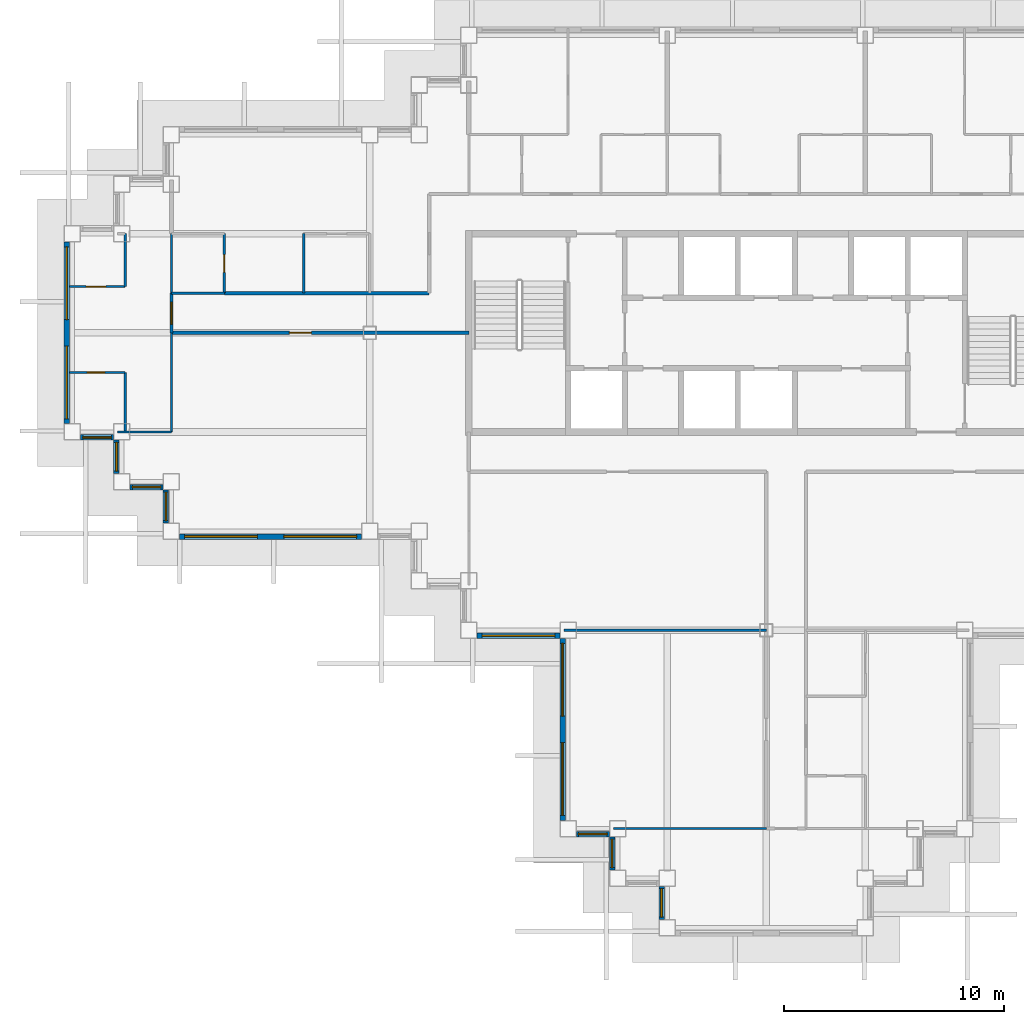
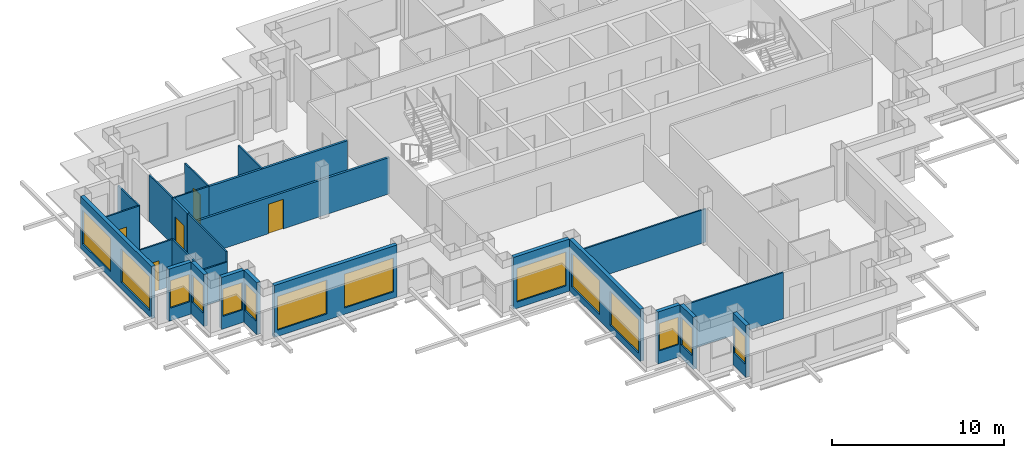
# One storey, part 3 of 14: 26 walls, 14 windows, 5 doors, 19 openings.
"""IFC4 building model written with IfcOpenShell, lengths in metres."""

from ifc_helpers import new_model, si_unit, direction, frame, frame_2d, origin, place, context, subcontext, project, spatial, rectangle, extrude, material, layer, layer_set, type_object, element, fill, save


model = new_model("IFC4")

# Units and contexts
model_context = context("Model", 3, precision=1e-05, world=origin(), true_north=direction((0.0, 1.0)))
body_context = subcontext(model_context, "Body", "Model", "MODEL_VIEW")
ifc_project = project(units=[si_unit("LENGTHUNIT", "METRE"), si_unit("AREAUNIT", "SQUARE_METRE"), si_unit("VOLUMEUNIT", "CUBIC_METRE"), si_unit("PLANEANGLEUNIT", "RADIAN"), si_unit("MASSUNIT", "GRAM", prefix="KILO")], contexts=[model_context])

# Site, building, storey
site_placement = place(None, origin())
site = spatial("IfcSite", under=ifc_project, at=site_placement, CompositionType="ELEMENT")
building_placement = place(site_placement, origin())
building = spatial("IfcBuilding", under=site, at=building_placement, Name="Caravel Reach Hotel and Residences", CompositionType="ELEMENT")
storey_placement = place(building_placement, frame((0.0, 0.0, 183.89990234375)))
storey = spatial("IfcBuildingStorey", under=building, at=storey_placement, Name="L46", CompositionType="ELEMENT", Elevation=183.89990234375)

# Wall, opening, door
ifc_material_1 = material(Name="Gypsum board on steel stud", Category="steel")
ifc_layer_1 = layer(ifc_material_1, 0.10009765625)
ifc_layer_set_1 = layer_set([ifc_layer_1], Name="Bathroom pod wall 100 mm")
wall_type_1 = type_object("IfcWallType", Name="Bathroom pod wall 100 mm", PredefinedType="PARTITIONING", material=ifc_layer_set_1)
wall_1_placement = place(storey_placement, frame((-0.125, 25.199951171875, 0.0), z_axis=(0.0, 0.0, 1.0), x_axis=(1.0, 0.0, 0.0)))
wall_1 = element("IfcWall", 1, at=wall_1_placement, inside=storey, type_object=wall_type_1, Name="L46 wall w074", PredefinedType="PARTITIONING", context=body_context, shape_type="SweptSolid", body=[
    extrude(rectangle(XDim=2.52490234375, YDim=0.10009765625, at=frame_2d((1.262451171875, 0.0))), origin(), (0.0, 0.0, 1.0), 3.300048828125),
])
opening_1_placement = place(wall_1_placement, frame((0.800048828125, 0.0, 0.0)))
opening_1 = element("IfcOpeningElement", 2, at=opening_1_placement, cuts=wall_1, Name="Opening D46-042", PredefinedType="OPENING", context=body_context, shape_type="SweptSolid", body=[
    extrude(rectangle(XDim=0.800048828125, YDim=2.10009765625, at=frame_2d((0.39990234375, 1.050048828125))), frame((0.0, 0.06005859375, 0.0), z_axis=(0.0, -1.0, 0.0), x_axis=(1.0, 0.0, 0.0)), (0.0, 0.0, 1.0), 0.1201171875),
])
ifc_material_2 = material(Name="Timber and steel door leaf", Category="steel")
door_type_1 = type_object("IfcDoorType", Name="Bathroom door 800 x 2100", OperationType="SINGLE_SWING_LEFT", PredefinedType="DOOR", material=ifc_material_2)
door_1_placement = place(opening_1_placement, origin())
door_1 = element("IfcDoor", 3, at=door_1_placement, inside=storey, type_object=door_type_1, Name="door D46-042", OperationType="SINGLE_SWING_RIGHT", OverallHeight=2.10009765625, OverallWidth=0.800048828125, PredefinedType="DOOR", context=body_context, shape_type="SweptSolid", body=[
    extrude(rectangle(XDim=0.800048828125, YDim=2.10009765625, at=frame_2d((0.39990234375, 1.050048828125))), frame((0.0, 0.02490234375, 0.0), z_axis=(0.0, -1.0, 0.0), x_axis=(1.0, 0.0, 0.0)), (0.0, 0.0, 1.0), 0.050048828125),
])
fill(opening_1, door_1)

# Walls
wall_2_placement = place(storey_placement, frame((4.5, 28.800048828125, 0.0), z_axis=(0.0, 0.0, 1.0), x_axis=(1.0, 0.0, 0.0)))
element("IfcWall", 4, at=wall_2_placement, inside=storey, type_object=wall_type_1, Name="L46 wall w075", PredefinedType="PARTITIONING", context=body_context, shape_type="SweptSolid", body=[
    extrude(rectangle(XDim=2.39990234375, YDim=0.10009765625, at=frame_2d((1.199951171875, 0.0))), origin(), (0.0, 0.0, 1.0), 3.300048828125),
])
for number, where, z_axis, x_axis, name in (
    (5, (2.39990234375, 22.5, 0.0), (0.0, 0.0, 1.0), (0.0, 1.0, 0.0), "L46 wall w086"),
    (6, (4.5, 28.800048828125, 0.0), (0.0, 0.0, 1.0), (0.0, 1.0, 0.0), "L46 wall w092"),
):
    element("IfcWall", number, at=place(storey_placement, frame(where, z_axis=z_axis, x_axis=x_axis)), inside=storey, type_object=wall_type_1, Name=name, PredefinedType="PARTITIONING", context=body_context, shape_type="SweptSolid", body=[
        extrude(rectangle(XDim=2.699951171875, YDim=0.10009765625, at=frame_2d((1.35009765625, 0.0))), origin(), (0.0, 0.0, 1.0), 3.300048828125),
    ])

# Wall, opening, door
wall_3_placement = place(storey_placement, frame((6.89990234375, 28.800048828125, 0.0), z_axis=(0.0, 0.0, 1.0), x_axis=(0.0, 1.0, 0.0)))
wall_3 = element("IfcWall", 7, at=wall_3_placement, inside=storey, type_object=wall_type_1, Name="L46 wall w097", PredefinedType="PARTITIONING", context=body_context, shape_type="SweptSolid", body=[
    extrude(rectangle(XDim=2.699951171875, YDim=0.10009765625, at=frame_2d((1.35009765625, 0.0))), origin(), (0.0, 0.0, 1.0), 3.300048828125),
])
opening_2_placement = place(wall_3_placement, frame((0.949951171875, 0.0, 0.0)))
opening_2 = element("IfcOpeningElement", 8, at=opening_2_placement, cuts=wall_3, Name="Opening D46-028", PredefinedType="OPENING", context=body_context, shape_type="SweptSolid", body=[
    extrude(rectangle(XDim=0.800048828125, YDim=2.10009765625, at=frame_2d((0.39990234375, 1.050048828125))), frame((0.0, 0.06005859375, 0.0), z_axis=(0.0, -1.0, 0.0), x_axis=(1.0, 0.0, 0.0)), (0.0, 0.0, 1.0), 0.1201171875),
])
door_2_placement = place(opening_2_placement, origin())
door_2 = element("IfcDoor", 9, at=door_2_placement, inside=storey, type_object=door_type_1, Name="door D46-028", OperationType="SINGLE_SWING_LEFT", OverallHeight=2.10009765625, OverallWidth=0.800048828125, PredefinedType="DOOR", context=body_context, shape_type="SweptSolid", body=[
    extrude(rectangle(XDim=0.800048828125, YDim=2.10009765625, at=frame_2d((0.39990234375, 1.050048828125))), frame((0.0, 0.02490234375, 0.0), z_axis=(0.0, -1.0, 0.0), x_axis=(1.0, 0.0, 0.0)), (0.0, 0.0, 1.0), 0.050048828125),
])
fill(opening_2, door_2)

ifc_material_3 = material(Name="Gypsum board on steel stud, fire-rated", Category="steel")
ifc_layer_2 = layer(ifc_material_3, 0.14990234375)
ifc_layer_set_2 = layer_set([ifc_layer_2], Name="Corridor wall 150 mm EI 60")
wall_type_2 = type_object("IfcWallType", Name="Corridor wall 150 mm EI 60", PredefinedType="PARTITIONING", material=ifc_layer_set_2)
wall_4_placement = place(storey_placement, frame((4.5, 27.0, 0.0), z_axis=(0.0, 0.0, 1.0), x_axis=(1.0, 0.0, 0.0)))
wall_4 = element("IfcWall", 10, at=wall_4_placement, inside=storey, type_object=wall_type_2, Name="L46 wall w008", PredefinedType="PARTITIONING", context=body_context, shape_type="SweptSolid", body=[
    extrude(rectangle(XDim=13.5, YDim=0.14990234375, at=frame_2d((6.75, 0.0))), origin(), (0.0, 0.0, 1.0), 2.580078125),
])
opening_3_placement = place(wall_4_placement, frame((5.35009765625, 0.0, 0.0)))
opening_3 = element("IfcOpeningElement", 11, at=opening_3_placement, cuts=wall_4, Name="Opening D46-030", PredefinedType="OPENING", context=body_context, shape_type="SweptSolid", body=[
    extrude(rectangle(XDim=1.0, YDim=2.10009765625, at=frame_2d((0.5, 1.050048828125))), frame((0.0, 0.0849609375, 0.0), z_axis=(0.0, -1.0, 0.0), x_axis=(1.0, 0.0, 0.0)), (0.0, 0.0, 1.0), 0.169921875),
])
ifc_material_4 = material(Name="Steel fire door leaf", Category="steel")
door_type_2 = type_object("IfcDoorType", Name="Fire door 1000 x 2100 EI 60", OperationType="SINGLE_SWING_LEFT", PredefinedType="DOOR", material=ifc_material_4)
door_3_placement = place(opening_3_placement, origin())
door_3 = element("IfcDoor", 12, at=door_3_placement, inside=storey, type_object=door_type_2, Name="door D46-030", OperationType="SINGLE_SWING_LEFT", OverallHeight=2.10009765625, OverallWidth=1.0, PredefinedType="DOOR", context=body_context, shape_type="SweptSolid", body=[
    extrude(rectangle(XDim=1.0, YDim=2.10009765625, at=frame_2d((0.5, 1.050048828125))), frame((0.0, 0.02490234375, 0.0), z_axis=(0.0, -1.0, 0.0), x_axis=(1.0, 0.0, 0.0)), (0.0, 0.0, 1.0), 0.050048828125),
])
fill(opening_3, door_3)

# Wall
wall_5_placement = place(storey_placement, frame((6.89990234375, 28.800048828125, 0.0), z_axis=(0.0, 0.0, 1.0), x_axis=(1.0, 0.0, 0.0)))
element("IfcWall", 13, at=wall_5_placement, inside=storey, type_object=wall_type_2, Name="L46 wall w010", PredefinedType="PARTITIONING", context=body_context, shape_type="SweptSolid", body=[
    extrude(rectangle(XDim=9.299072265625, YDim=0.14990234375, at=frame_2d((4.6494140625, 0.0))), origin(), (0.0, 0.0, 1.0), 3.300048828125),
])

# Wall, opening, door
wall_6_placement = place(storey_placement, frame((4.5, 27.0, 0.0), z_axis=(0.0, 0.0, 1.0), x_axis=(0.0, 1.0, 0.0)))
wall_6 = element("IfcWall", 14, at=wall_6_placement, inside=storey, type_object=wall_type_2, Name="L46 wall w028", PredefinedType="PARTITIONING", context=body_context, shape_type="SweptSolid", body=[
    extrude(rectangle(XDim=1.800048828125, YDim=0.14990234375, at=frame_2d((0.89990234375, 0.0))), origin(), (0.0, 0.0, 1.0), 3.300048828125),
])
opening_4_placement = place(wall_6_placement, frame((0.39990234375, 0.0, 0.0)))
opening_4 = element("IfcOpeningElement", 15, at=opening_4_placement, cuts=wall_6, Name="Opening D46-041", PredefinedType="OPENING", context=body_context, shape_type="SweptSolid", body=[
    extrude(rectangle(XDim=1.0, YDim=2.199951171875, at=frame_2d((0.5, 1.10009765625))), frame((0.0, 0.0849609375, 0.0), z_axis=(0.0, -1.0, 0.0), x_axis=(1.0, 0.0, 0.0)), (0.0, 0.0, 1.0), 0.169921875),
])
ifc_material_5 = material(Name="Steel fire door leaf", Category="steel")
door_type_3 = type_object("IfcDoorType", Name="Flat entrance door 1000 x 2200 EI 60", OperationType="SINGLE_SWING_LEFT", PredefinedType="DOOR", material=ifc_material_5)
door_4_placement = place(opening_4_placement, origin())
door_4 = element("IfcDoor", 16, at=door_4_placement, inside=storey, type_object=door_type_3, Name="door D46-041", OperationType="SINGLE_SWING_RIGHT", OverallHeight=2.199951171875, OverallWidth=1.0, PredefinedType="DOOR", context=body_context, shape_type="SweptSolid", body=[
    extrude(rectangle(XDim=1.0, YDim=2.199951171875, at=frame_2d((0.5, 1.10009765625))), frame((0.0, 0.02490234375, 0.0), z_axis=(0.0, -1.0, 0.0), x_axis=(1.0, 0.0, 0.0)), (0.0, 0.0, 1.0), 0.050048828125),
])
fill(opening_4, door_4)

# Wall, opening, window
ifc_material_6 = material(Name="Insulated rainscreen wall, aluminium cladding", Category="aluminium")
ifc_layer_3 = layer(ifc_material_6, 0.25)
ifc_layer_set_3 = layer_set([ifc_layer_3], Name="EW1 Tower rainscreen wall")
wall_type_3 = type_object("IfcWallType", Name="EW1 Tower rainscreen wall", PredefinedType="SOLIDWALL", material=ifc_layer_set_3)
wall_7_placement = place(storey_placement, frame((22.875, 4.25, 0.0), z_axis=(0.0, 0.0, 1.0), x_axis=(1.0, 0.0, 0.0)))
wall_7 = element("IfcWall", 17, at=wall_7_placement, inside=storey, type_object=wall_type_3, Name="External wall L46 S1.1", PredefinedType="SOLIDWALL", context=body_context, shape_type="SweptSolid", body=[
    extrude(rectangle(XDim=1.5, YDim=0.25, at=frame_2d((0.75, 0.0))), origin(), (0.0, 0.0, 1.0), 3.7001953125),
])
opening_5_placement = place(wall_7_placement, frame((0.10009765625, 0.0, 0.89990234375)))
opening_5 = element("IfcOpeningElement", 18, at=opening_5_placement, cuts=wall_7, Name="Opening WN17", PredefinedType="OPENING", context=body_context, shape_type="SweptSolid", body=[
    extrude(rectangle(XDim=1.300048828125, YDim=1.949951171875, at=frame_2d((0.64990234375, 0.97509765625))), frame((0.0, 0.135009765625, 0.0), z_axis=(0.0, -1.0, 0.0), x_axis=(1.0, 0.0, 0.0)), (0.0, 0.0, 1.0), 0.27001953125),
])
ifc_material_7 = material(Name="Dark low-e glazing in black aluminium frame", Category="aluminium")
window_type_1 = type_object("IfcWindowType", Name="Residence bedroom window 1300 x 1950", PartitioningType="SINGLE_PANEL", PredefinedType="WINDOW", material=ifc_material_7)
window_1_placement = place(opening_5_placement, origin())
window_1 = element("IfcWindow", 19, at=window_1_placement, inside=storey, type_object=window_type_1, Name="Window L46 S1.1.1", OverallHeight=1.949951171875, OverallWidth=1.300048828125, PartitioningType="SINGLE_PANEL", PredefinedType="WINDOW", context=body_context, shape_type="SweptSolid", body=[
    extrude(rectangle(XDim=1.300048828125, YDim=1.949951171875, at=frame_2d((0.64990234375, 0.97509765625))), frame((0.0, 0.030029296875, 0.0), z_axis=(0.0, -1.0, 0.0), x_axis=(1.0, 0.0, 0.0)), (0.0, 0.0, 1.0), 0.06005859375),
])
fill(opening_5, window_1)

wall_8_placement = place(storey_placement, frame((24.5, 4.125, 0.0), z_axis=(0.0, 0.0, 1.0), x_axis=(0.0, -1.0, 0.0)))
wall_8 = element("IfcWall", 20, at=wall_8_placement, inside=storey, type_object=wall_type_3, Name="External wall L46 W2.1", PredefinedType="SOLIDWALL", context=body_context, shape_type="SweptSolid", body=[
    extrude(rectangle(XDim=1.5, YDim=0.25, at=frame_2d((0.75, 0.0))), origin(), (0.0, 0.0, 1.0), 3.7001953125),
])
opening_6_placement = place(wall_8_placement, frame((0.10009765625, 0.0, 0.89990234375)))
opening_6 = element("IfcOpeningElement", 21, at=opening_6_placement, cuts=wall_8, Name="Opening WN17", PredefinedType="OPENING", context=body_context, shape_type="SweptSolid", body=[
    extrude(rectangle(XDim=1.300048828125, YDim=1.949951171875, at=frame_2d((0.64990234375, 0.97509765625))), frame((0.0, 0.135009765625, 0.0), z_axis=(0.0, -1.0, 0.0), x_axis=(1.0, 0.0, 0.0)), (0.0, 0.0, 1.0), 0.27001953125),
])
window_2_placement = place(opening_6_placement, origin())
window_2 = element("IfcWindow", 22, at=window_2_placement, inside=storey, type_object=window_type_1, Name="Window L46 W2.1.1", OverallHeight=1.949951171875, OverallWidth=1.300048828125, PartitioningType="SINGLE_PANEL", PredefinedType="WINDOW", context=body_context, shape_type="SweptSolid", body=[
    extrude(rectangle(XDim=1.300048828125, YDim=1.949951171875, at=frame_2d((0.64990234375, 0.97509765625))), frame((0.0, 0.030029296875, 0.0), z_axis=(0.0, -1.0, 0.0), x_axis=(1.0, 0.0, 0.0)), (0.0, 0.0, 1.0), 0.06005859375),
])
fill(opening_6, window_2)

wall_9_placement = place(storey_placement, frame((26.75, 1.875, 0.0), z_axis=(0.0, 0.0, 1.0), x_axis=(0.0, -1.0, 0.0)))
wall_9 = element("IfcWall", 23, at=wall_9_placement, inside=storey, type_object=wall_type_3, Name="External wall L46 W4.1", PredefinedType="SOLIDWALL", context=body_context, shape_type="SweptSolid", body=[
    extrude(rectangle(XDim=1.5, YDim=0.25, at=frame_2d((0.75, 0.0))), origin(), (0.0, 0.0, 1.0), 3.7001953125),
])
opening_7_placement = place(wall_9_placement, frame((0.10009765625, 0.0, 0.89990234375)))
opening_7 = element("IfcOpeningElement", 24, at=opening_7_placement, cuts=wall_9, Name="Opening WN17", PredefinedType="OPENING", context=body_context, shape_type="SweptSolid", body=[
    extrude(rectangle(XDim=1.300048828125, YDim=1.949951171875, at=frame_2d((0.64990234375, 0.97509765625))), frame((0.0, 0.135009765625, 0.0), z_axis=(0.0, -1.0, 0.0), x_axis=(1.0, 0.0, 0.0)), (0.0, 0.0, 1.0), 0.27001953125),
])
window_3_placement = place(opening_7_placement, origin())
window_3 = element("IfcWindow", 25, at=window_3_placement, inside=storey, type_object=window_type_1, Name="Window L46 W4.1.1", OverallHeight=1.949951171875, OverallWidth=1.300048828125, PartitioningType="SINGLE_PANEL", PredefinedType="WINDOW", context=body_context, shape_type="SweptSolid", body=[
    extrude(rectangle(XDim=1.300048828125, YDim=1.949951171875, at=frame_2d((0.64990234375, 0.97509765625))), frame((0.0, 0.030029296875, 0.0), z_axis=(0.0, -1.0, 0.0), x_axis=(1.0, 0.0, 0.0)), (0.0, 0.0, 1.0), 0.06005859375),
])
fill(opening_7, window_3)

# Wall, openings, windows
wall_10_placement = place(storey_placement, frame((-0.25, 31.125, 0.0), z_axis=(0.0, 0.0, 1.0), x_axis=(0.0, -1.0, 0.0)))
wall_10 = element("IfcWall", 26, at=wall_10_placement, inside=storey, type_object=wall_type_3, Name="External wall L46 W38.1", PredefinedType="SOLIDWALL", context=body_context, shape_type="SweptSolid", body=[
    extrude(rectangle(XDim=8.25, YDim=0.25, at=frame_2d((4.125, 0.0))), origin(), (0.0, 0.0, 1.0), 3.7001953125),
])
opening_8_placement = place(wall_10_placement, frame((0.22509765625, 0.0, 0.449951171875)))
opening_8 = element("IfcOpeningElement", 27, at=opening_8_placement, cuts=wall_10, Name="Opening WN18", PredefinedType="OPENING", context=body_context, shape_type="SweptSolid", body=[
    extrude(rectangle(XDim=3.300048828125, YDim=2.39990234375, at=frame_2d((1.64990234375, 1.199951171875))), frame((0.0, 0.135009765625, 0.0), z_axis=(0.0, -1.0, 0.0), x_axis=(1.0, 0.0, 0.0)), (0.0, 0.0, 1.0), 0.27001953125),
])
opening_9_placement = place(wall_10_placement, frame((4.72509765625, 0.0, 0.449951171875)))
opening_9 = element("IfcOpeningElement", 28, at=opening_9_placement, cuts=wall_10, Name="Opening WN18", PredefinedType="OPENING", context=body_context, shape_type="SweptSolid", body=[
    extrude(rectangle(XDim=3.300048828125, YDim=2.39990234375, at=frame_2d((1.64990234375, 1.199951171875))), frame((0.0, 0.135009765625, 0.0), z_axis=(0.0, -1.0, 0.0), x_axis=(1.0, 0.0, 0.0)), (0.0, 0.0, 1.0), 0.27001953125),
])
ifc_material_8 = material(Name="Dark low-e glazing in black aluminium frame", Category="aluminium")
window_type_2 = type_object("IfcWindowType", Name="Residence living window 3300 x 2400", PartitioningType="SINGLE_PANEL", PredefinedType="WINDOW", material=ifc_material_8)
window_4_placement = place(opening_8_placement, origin())
window_4 = element("IfcWindow", 29, at=window_4_placement, inside=storey, type_object=window_type_2, Name="Window L46 W38.1.1", OverallHeight=2.39990234375, OverallWidth=3.300048828125, PartitioningType="SINGLE_PANEL", PredefinedType="WINDOW", context=body_context, shape_type="SweptSolid", body=[
    extrude(rectangle(XDim=3.300048828125, YDim=2.39990234375, at=frame_2d((1.64990234375, 1.199951171875))), frame((0.0, 0.030029296875, 0.0), z_axis=(0.0, -1.0, 0.0), x_axis=(1.0, 0.0, 0.0)), (0.0, 0.0, 1.0), 0.06005859375),
])
fill(opening_8, window_4)
window_5_placement = place(opening_9_placement, origin())
window_5 = element("IfcWindow", 30, at=window_5_placement, inside=storey, type_object=window_type_2, Name="Window L46 W38.1.2", OverallHeight=2.39990234375, OverallWidth=3.300048828125, PartitioningType="SINGLE_PANEL", PredefinedType="WINDOW", context=body_context, shape_type="SweptSolid", body=[
    extrude(rectangle(XDim=3.300048828125, YDim=2.39990234375, at=frame_2d((1.64990234375, 1.199951171875))), frame((0.0, 0.030029296875, 0.0), z_axis=(0.0, -1.0, 0.0), x_axis=(1.0, 0.0, 0.0)), (0.0, 0.0, 1.0), 0.06005859375),
])
fill(opening_9, window_5)

# Wall, opening, window
wall_11_placement = place(storey_placement, frame((0.375, 22.25, 0.0), z_axis=(0.0, 0.0, 1.0), x_axis=(1.0, 0.0, 0.0)))
wall_11 = element("IfcWall", 31, at=wall_11_placement, inside=storey, type_object=wall_type_3, Name="External wall L46 S39.1", PredefinedType="SOLIDWALL", context=body_context, shape_type="SweptSolid", body=[
    extrude(rectangle(XDim=1.5, YDim=0.25, at=frame_2d((0.75, 0.0))), origin(), (0.0, 0.0, 1.0), 3.7001953125),
])
opening_10_placement = place(wall_11_placement, frame((0.10009765625, 0.0, 0.89990234375)))
opening_10 = element("IfcOpeningElement", 32, at=opening_10_placement, cuts=wall_11, Name="Opening WN17", PredefinedType="OPENING", context=body_context, shape_type="SweptSolid", body=[
    extrude(rectangle(XDim=1.300048828125, YDim=1.949951171875, at=frame_2d((0.64990234375, 0.97509765625))), frame((0.0, 0.135009765625, 0.0), z_axis=(0.0, -1.0, 0.0), x_axis=(1.0, 0.0, 0.0)), (0.0, 0.0, 1.0), 0.27001953125),
])
window_6_placement = place(opening_10_placement, origin())
window_6 = element("IfcWindow", 33, at=window_6_placement, inside=storey, type_object=window_type_1, Name="Window L46 S39.1.1", OverallHeight=1.949951171875, OverallWidth=1.300048828125, PartitioningType="SINGLE_PANEL", PredefinedType="WINDOW", context=body_context, shape_type="SweptSolid", body=[
    extrude(rectangle(XDim=1.300048828125, YDim=1.949951171875, at=frame_2d((0.64990234375, 0.97509765625))), frame((0.0, 0.030029296875, 0.0), z_axis=(0.0, -1.0, 0.0), x_axis=(1.0, 0.0, 0.0)), (0.0, 0.0, 1.0), 0.06005859375),
])
fill(opening_10, window_6)

wall_12_placement = place(storey_placement, frame((2.0, 22.125, 0.0), z_axis=(0.0, 0.0, 1.0), x_axis=(0.0, -1.0, 0.0)))
wall_12 = element("IfcWall", 34, at=wall_12_placement, inside=storey, type_object=wall_type_3, Name="External wall L46 W40.1", PredefinedType="SOLIDWALL", context=body_context, shape_type="SweptSolid", body=[
    extrude(rectangle(XDim=1.5, YDim=0.25, at=frame_2d((0.75, 0.0))), origin(), (0.0, 0.0, 1.0), 3.7001953125),
])
opening_11_placement = place(wall_12_placement, frame((0.10009765625, 0.0, 0.89990234375)))
opening_11 = element("IfcOpeningElement", 35, at=opening_11_placement, cuts=wall_12, Name="Opening WN17", PredefinedType="OPENING", context=body_context, shape_type="SweptSolid", body=[
    extrude(rectangle(XDim=1.300048828125, YDim=1.949951171875, at=frame_2d((0.64990234375, 0.97509765625))), frame((0.0, 0.135009765625, 0.0), z_axis=(0.0, -1.0, 0.0), x_axis=(1.0, 0.0, 0.0)), (0.0, 0.0, 1.0), 0.27001953125),
])
window_7_placement = place(opening_11_placement, origin())
window_7 = element("IfcWindow", 36, at=window_7_placement, inside=storey, type_object=window_type_1, Name="Window L46 W40.1.1", OverallHeight=1.949951171875, OverallWidth=1.300048828125, PartitioningType="SINGLE_PANEL", PredefinedType="WINDOW", context=body_context, shape_type="SweptSolid", body=[
    extrude(rectangle(XDim=1.300048828125, YDim=1.949951171875, at=frame_2d((0.64990234375, 0.97509765625))), frame((0.0, 0.030029296875, 0.0), z_axis=(0.0, -1.0, 0.0), x_axis=(1.0, 0.0, 0.0)), (0.0, 0.0, 1.0), 0.06005859375),
])
fill(opening_11, window_7)

wall_13_placement = place(storey_placement, frame((2.625, 20.0, 0.0), z_axis=(0.0, 0.0, 1.0), x_axis=(1.0, 0.0, 0.0)))
wall_13 = element("IfcWall", 37, at=wall_13_placement, inside=storey, type_object=wall_type_3, Name="External wall L46 S41.1", PredefinedType="SOLIDWALL", context=body_context, shape_type="SweptSolid", body=[
    extrude(rectangle(XDim=1.5, YDim=0.25, at=frame_2d((0.75, 0.0))), origin(), (0.0, 0.0, 1.0), 3.7001953125),
])
opening_12_placement = place(wall_13_placement, frame((0.10009765625, 0.0, 0.89990234375)))
opening_12 = element("IfcOpeningElement", 38, at=opening_12_placement, cuts=wall_13, Name="Opening WN17", PredefinedType="OPENING", context=body_context, shape_type="SweptSolid", body=[
    extrude(rectangle(XDim=1.300048828125, YDim=1.949951171875, at=frame_2d((0.64990234375, 0.97509765625))), frame((0.0, 0.135009765625, 0.0), z_axis=(0.0, -1.0, 0.0), x_axis=(1.0, 0.0, 0.0)), (0.0, 0.0, 1.0), 0.27001953125),
])
window_8_placement = place(opening_12_placement, origin())
window_8 = element("IfcWindow", 39, at=window_8_placement, inside=storey, type_object=window_type_1, Name="Window L46 S41.1.1", OverallHeight=1.949951171875, OverallWidth=1.300048828125, PartitioningType="SINGLE_PANEL", PredefinedType="WINDOW", context=body_context, shape_type="SweptSolid", body=[
    extrude(rectangle(XDim=1.300048828125, YDim=1.949951171875, at=frame_2d((0.64990234375, 0.97509765625))), frame((0.0, 0.030029296875, 0.0), z_axis=(0.0, -1.0, 0.0), x_axis=(1.0, 0.0, 0.0)), (0.0, 0.0, 1.0), 0.06005859375),
])
fill(opening_12, window_8)

wall_14_placement = place(storey_placement, frame((4.25, 19.875, 0.0), z_axis=(0.0, 0.0, 1.0), x_axis=(0.0, -1.0, 0.0)))
wall_14 = element("IfcWall", 40, at=wall_14_placement, inside=storey, type_object=wall_type_3, Name="External wall L46 W42.1", PredefinedType="SOLIDWALL", context=body_context, shape_type="SweptSolid", body=[
    extrude(rectangle(XDim=1.5, YDim=0.25, at=frame_2d((0.75, 0.0))), origin(), (0.0, 0.0, 1.0), 3.7001953125),
])
opening_13_placement = place(wall_14_placement, frame((0.10009765625, 0.0, 0.89990234375)))
opening_13 = element("IfcOpeningElement", 41, at=opening_13_placement, cuts=wall_14, Name="Opening WN17", PredefinedType="OPENING", context=body_context, shape_type="SweptSolid", body=[
    extrude(rectangle(XDim=1.300048828125, YDim=1.949951171875, at=frame_2d((0.64990234375, 0.97509765625))), frame((0.0, 0.135009765625, 0.0), z_axis=(0.0, -1.0, 0.0), x_axis=(1.0, 0.0, 0.0)), (0.0, 0.0, 1.0), 0.27001953125),
])
window_9_placement = place(opening_13_placement, origin())
window_9 = element("IfcWindow", 42, at=window_9_placement, inside=storey, type_object=window_type_1, Name="Window L46 W42.1.1", OverallHeight=1.949951171875, OverallWidth=1.300048828125, PartitioningType="SINGLE_PANEL", PredefinedType="WINDOW", context=body_context, shape_type="SweptSolid", body=[
    extrude(rectangle(XDim=1.300048828125, YDim=1.949951171875, at=frame_2d((0.64990234375, 0.97509765625))), frame((0.0, 0.030029296875, 0.0), z_axis=(0.0, -1.0, 0.0), x_axis=(1.0, 0.0, 0.0)), (0.0, 0.0, 1.0), 0.06005859375),
])
fill(opening_13, window_9)

# Wall, openings, windows
wall_15_placement = place(storey_placement, frame((4.875, 17.75, 0.0), z_axis=(0.0, 0.0, 1.0), x_axis=(1.0, 0.0, 0.0)))
wall_15 = element("IfcWall", 43, at=wall_15_placement, inside=storey, type_object=wall_type_3, Name="External wall L46 S43.1", PredefinedType="SOLIDWALL", context=body_context, shape_type="SweptSolid", body=[
    extrude(rectangle(XDim=8.25, YDim=0.25, at=frame_2d((4.125, 0.0))), origin(), (0.0, 0.0, 1.0), 3.7001953125),
])
opening_14_placement = place(wall_15_placement, frame((0.22509765625, 0.0, 0.449951171875)))
opening_14 = element("IfcOpeningElement", 44, at=opening_14_placement, cuts=wall_15, Name="Opening WN18", PredefinedType="OPENING", context=body_context, shape_type="SweptSolid", body=[
    extrude(rectangle(XDim=3.300048828125, YDim=2.39990234375, at=frame_2d((1.64990234375, 1.199951171875))), frame((0.0, 0.135009765625, 0.0), z_axis=(0.0, -1.0, 0.0), x_axis=(1.0, 0.0, 0.0)), (0.0, 0.0, 1.0), 0.27001953125),
])
opening_15_placement = place(wall_15_placement, frame((4.72509765625, 0.0, 0.449951171875)))
opening_15 = element("IfcOpeningElement", 45, at=opening_15_placement, cuts=wall_15, Name="Opening WN18", PredefinedType="OPENING", context=body_context, shape_type="SweptSolid", body=[
    extrude(rectangle(XDim=3.300048828125, YDim=2.39990234375, at=frame_2d((1.64990234375, 1.199951171875))), frame((0.0, 0.135009765625, 0.0), z_axis=(0.0, -1.0, 0.0), x_axis=(1.0, 0.0, 0.0)), (0.0, 0.0, 1.0), 0.27001953125),
])
window_10_placement = place(opening_14_placement, origin())
window_10 = element("IfcWindow", 46, at=window_10_placement, inside=storey, type_object=window_type_2, Name="Window L46 S43.1.1", OverallHeight=2.39990234375, OverallWidth=3.300048828125, PartitioningType="SINGLE_PANEL", PredefinedType="WINDOW", context=body_context, shape_type="SweptSolid", body=[
    extrude(rectangle(XDim=3.300048828125, YDim=2.39990234375, at=frame_2d((1.64990234375, 1.199951171875))), frame((0.0, 0.030029296875, 0.0), z_axis=(0.0, -1.0, 0.0), x_axis=(1.0, 0.0, 0.0)), (0.0, 0.0, 1.0), 0.06005859375),
])
fill(opening_14, window_10)
window_11_placement = place(opening_15_placement, origin())
window_11 = element("IfcWindow", 47, at=window_11_placement, inside=storey, type_object=window_type_2, Name="Window L46 S43.1.2", OverallHeight=2.39990234375, OverallWidth=3.300048828125, PartitioningType="SINGLE_PANEL", PredefinedType="WINDOW", context=body_context, shape_type="SweptSolid", body=[
    extrude(rectangle(XDim=3.300048828125, YDim=2.39990234375, at=frame_2d((1.64990234375, 1.199951171875))), frame((0.0, 0.030029296875, 0.0), z_axis=(0.0, -1.0, 0.0), x_axis=(1.0, 0.0, 0.0)), (0.0, 0.0, 1.0), 0.06005859375),
])
fill(opening_15, window_11)

# Wall, opening, window
wall_16_placement = place(storey_placement, frame((18.375, 13.25, 0.0), z_axis=(0.0, 0.0, 1.0), x_axis=(1.0, 0.0, 0.0)))
wall_16 = element("IfcWall", 48, at=wall_16_placement, inside=storey, type_object=wall_type_3, Name="External wall L46 S47.1", PredefinedType="SOLIDWALL", context=body_context, shape_type="SweptSolid", body=[
    extrude(rectangle(XDim=3.75, YDim=0.25, at=frame_2d((1.875, 0.0))), origin(), (0.0, 0.0, 1.0), 3.7001953125),
])
opening_16_placement = place(wall_16_placement, frame((0.22509765625, 0.0, 0.449951171875)))
opening_16 = element("IfcOpeningElement", 49, at=opening_16_placement, cuts=wall_16, Name="Opening WN18", PredefinedType="OPENING", context=body_context, shape_type="SweptSolid", body=[
    extrude(rectangle(XDim=3.300048828125, YDim=2.39990234375, at=frame_2d((1.64990234375, 1.199951171875))), frame((0.0, 0.135009765625, 0.0), z_axis=(0.0, -1.0, 0.0), x_axis=(1.0, 0.0, 0.0)), (0.0, 0.0, 1.0), 0.27001953125),
])
window_12_placement = place(opening_16_placement, origin())
window_12 = element("IfcWindow", 50, at=window_12_placement, inside=storey, type_object=window_type_2, Name="Window L46 S47.1.1", OverallHeight=2.39990234375, OverallWidth=3.300048828125, PartitioningType="SINGLE_PANEL", PredefinedType="WINDOW", context=body_context, shape_type="SweptSolid", body=[
    extrude(rectangle(XDim=3.300048828125, YDim=2.39990234375, at=frame_2d((1.64990234375, 1.199951171875))), frame((0.0, 0.030029296875, 0.0), z_axis=(0.0, -1.0, 0.0), x_axis=(1.0, 0.0, 0.0)), (0.0, 0.0, 1.0), 0.06005859375),
])
fill(opening_16, window_12)

# Wall, openings, windows
wall_17_placement = place(storey_placement, frame((22.25, 13.125, 0.0), z_axis=(0.0, 0.0, 1.0), x_axis=(0.0, -1.0, 0.0)))
wall_17 = element("IfcWall", 51, at=wall_17_placement, inside=storey, type_object=wall_type_3, Name="External wall L46 W48.1", PredefinedType="SOLIDWALL", context=body_context, shape_type="SweptSolid", body=[
    extrude(rectangle(XDim=8.25, YDim=0.25, at=frame_2d((4.125, 0.0))), origin(), (0.0, 0.0, 1.0), 3.7001953125),
])
opening_17_placement = place(wall_17_placement, frame((0.22509765625, 0.0, 0.449951171875)))
opening_17 = element("IfcOpeningElement", 52, at=opening_17_placement, cuts=wall_17, Name="Opening WN18", PredefinedType="OPENING", context=body_context, shape_type="SweptSolid", body=[
    extrude(rectangle(XDim=3.300048828125, YDim=2.39990234375, at=frame_2d((1.64990234375, 1.199951171875))), frame((0.0, 0.135009765625, 0.0), z_axis=(0.0, -1.0, 0.0), x_axis=(1.0, 0.0, 0.0)), (0.0, 0.0, 1.0), 0.27001953125),
])
opening_18_placement = place(wall_17_placement, frame((4.72509765625, 0.0, 0.449951171875)))
opening_18 = element("IfcOpeningElement", 53, at=opening_18_placement, cuts=wall_17, Name="Opening WN18", PredefinedType="OPENING", context=body_context, shape_type="SweptSolid", body=[
    extrude(rectangle(XDim=3.300048828125, YDim=2.39990234375, at=frame_2d((1.64990234375, 1.199951171875))), frame((0.0, 0.135009765625, 0.0), z_axis=(0.0, -1.0, 0.0), x_axis=(1.0, 0.0, 0.0)), (0.0, 0.0, 1.0), 0.27001953125),
])
window_13_placement = place(opening_17_placement, origin())
window_13 = element("IfcWindow", 54, at=window_13_placement, inside=storey, type_object=window_type_2, Name="Window L46 W48.1.1", OverallHeight=2.39990234375, OverallWidth=3.300048828125, PartitioningType="SINGLE_PANEL", PredefinedType="WINDOW", context=body_context, shape_type="SweptSolid", body=[
    extrude(rectangle(XDim=3.300048828125, YDim=2.39990234375, at=frame_2d((1.64990234375, 1.199951171875))), frame((0.0, 0.030029296875, 0.0), z_axis=(0.0, -1.0, 0.0), x_axis=(1.0, 0.0, 0.0)), (0.0, 0.0, 1.0), 0.06005859375),
])
fill(opening_17, window_13)
window_14_placement = place(opening_18_placement, origin())
window_14 = element("IfcWindow", 55, at=window_14_placement, inside=storey, type_object=window_type_2, Name="Window L46 W48.1.2", OverallHeight=2.39990234375, OverallWidth=3.300048828125, PartitioningType="SINGLE_PANEL", PredefinedType="WINDOW", context=body_context, shape_type="SweptSolid", body=[
    extrude(rectangle(XDim=3.300048828125, YDim=2.39990234375, at=frame_2d((1.64990234375, 1.199951171875))), frame((0.0, 0.030029296875, 0.0), z_axis=(0.0, -1.0, 0.0), x_axis=(1.0, 0.0, 0.0)), (0.0, 0.0, 1.0), 0.06005859375),
])
fill(opening_18, window_14)

# Walls
ifc_material_9 = material(Name="Gypsum board on steel stud", Category="steel")
ifc_layer_4 = layer(ifc_material_9, 0.10009765625)
ifc_layer_set_4 = layer_set([ifc_layer_4], Name="Partition 100 mm")
wall_type_4 = type_object("IfcWallType", Name="Partition 100 mm", PredefinedType="PARTITIONING", material=ifc_layer_set_4)
wall_18_placement = place(storey_placement, frame((22.31005859375, 13.5, 0.0), z_axis=(0.0, 0.0, 1.0), x_axis=(1.0, 0.0, 0.0)))
element("IfcWall", 56, at=wall_18_placement, inside=storey, type_object=wall_type_4, Name="L46 wall w035", PredefinedType="PARTITIONING", context=body_context, shape_type="SweptSolid", body=[
    extrude(rectangle(XDim=9.18994140625, YDim=0.10009765625, at=frame_2d((4.594970703125, 0.0))), origin(), (0.0, 0.0, 1.0), 2.380126953125),
])
wall_19_placement = place(storey_placement, frame((2.06005859375, 22.5, 0.0), z_axis=(0.0, 0.0, 1.0), x_axis=(1.0, 0.0, 0.0)))
element("IfcWall", 57, at=wall_19_placement, inside=storey, type_object=wall_type_4, Name="L46 wall w038", PredefinedType="PARTITIONING", context=body_context, shape_type="SweptSolid", body=[
    extrude(rectangle(XDim=2.43896484375, YDim=0.10009765625, at=frame_2d((1.219482421875, 0.0))), origin(), (0.0, 0.0, 1.0), 2.580078125),
])

# Wall, opening, door
wall_20_placement = place(storey_placement, frame((-0.125, 29.10009765625, 0.0), z_axis=(0.0, 0.0, 1.0), x_axis=(1.0, 0.0, 0.0)))
wall_20 = element("IfcWall", 58, at=wall_20_placement, inside=storey, type_object=wall_type_4, Name="L46 wall w039", PredefinedType="PARTITIONING", context=body_context, shape_type="SweptSolid", body=[
    extrude(rectangle(XDim=2.52490234375, YDim=0.10009765625, at=frame_2d((1.262451171875, 0.0))), origin(), (0.0, 0.0, 1.0), 3.300048828125),
])
opening_19_placement = place(wall_20_placement, frame((0.75, 0.0, 0.0)))
opening_19 = element("IfcOpeningElement", 59, at=opening_19_placement, cuts=wall_20, Name="Opening D46-043", PredefinedType="OPENING", context=body_context, shape_type="SweptSolid", body=[
    extrude(rectangle(XDim=0.89990234375, YDim=2.10009765625, at=frame_2d((0.449951171875, 1.050048828125))), frame((0.0, 0.06005859375, 0.0), z_axis=(0.0, -1.0, 0.0), x_axis=(1.0, 0.0, 0.0)), (0.0, 0.0, 1.0), 0.1201171875),
])
ifc_material_10 = material(Name="Timber and steel door leaf", Category="steel")
door_type_4 = type_object("IfcDoorType", Name="Door 900 x 2100 timber", OperationType="SINGLE_SWING_LEFT", PredefinedType="DOOR", material=ifc_material_10)
door_5_placement = place(opening_19_placement, origin())
door_5 = element("IfcDoor", 60, at=door_5_placement, inside=storey, type_object=door_type_4, Name="door D46-043", OperationType="SINGLE_SWING_RIGHT", OverallHeight=2.10009765625, OverallWidth=0.89990234375, PredefinedType="DOOR", context=body_context, shape_type="SweptSolid", body=[
    extrude(rectangle(XDim=0.89990234375, YDim=2.10009765625, at=frame_2d((0.449951171875, 1.050048828125))), frame((0.0, 0.02490234375, 0.0), z_axis=(0.0, -1.0, 0.0), x_axis=(1.0, 0.0, 0.0)), (0.0, 0.0, 1.0), 0.050048828125),
])
fill(opening_19, door_5)

# Walls
wall_21_placement = place(storey_placement, frame((24.56005859375, 4.5, 0.0), z_axis=(0.0, 0.0, 1.0), x_axis=(1.0, 0.0, 0.0)))
element("IfcWall", 61, at=wall_21_placement, inside=storey, type_object=wall_type_4, Name="L46 wall w049", PredefinedType="PARTITIONING", context=body_context, shape_type="SweptSolid", body=[
    extrude(rectangle(XDim=6.93994140625, YDim=0.10009765625, at=frame_2d((3.469970703125, 0.0))), origin(), (0.0, 0.0, 1.0), 3.300048828125),
])
wall_22_placement = place(storey_placement, frame((10.5, 28.800048828125, 0.0), z_axis=(0.0, 0.0, 1.0), x_axis=(0.0, 1.0, 0.0)))
element("IfcWall", 62, at=wall_22_placement, inside=storey, type_object=wall_type_4, Name="L46 wall w050", PredefinedType="PARTITIONING", context=body_context, shape_type="SweptSolid", body=[
    extrude(rectangle(XDim=2.699951171875, YDim=0.10009765625, at=frame_2d((1.35009765625, 0.0))), origin(), (0.0, 0.0, 1.0), 3.300048828125),
])
wall_23_placement = place(storey_placement, frame((2.39990234375, 29.10009765625, 0.0), z_axis=(0.0, 0.0, 1.0), x_axis=(0.0, 1.0, 0.0)))
element("IfcWall", 63, at=wall_23_placement, inside=storey, type_object=wall_type_4, Name="L46 wall w054", PredefinedType="PARTITIONING", context=body_context, shape_type="SweptSolid", body=[
    extrude(rectangle(XDim=2.39990234375, YDim=0.10009765625, at=frame_2d((1.199951171875, 0.0))), origin(), (0.0, 0.0, 1.0), 3.300048828125),
])
wall_24_placement = place(storey_placement, frame((4.5, 22.5, 0.0), z_axis=(0.0, 0.0, 1.0), x_axis=(0.0, 1.0, 0.0)))
element("IfcWall", 64, at=wall_24_placement, inside=storey, type_object=wall_type_4, Name="L46 wall w060", PredefinedType="PARTITIONING", context=body_context, shape_type="SweptSolid", body=[
    extrude(rectangle(XDim=4.5, YDim=0.10009765625, at=frame_2d((2.25, 0.0))), origin(), (0.0, 0.0, 1.0), 3.300048828125),
])

save(model, "model.ifc")
